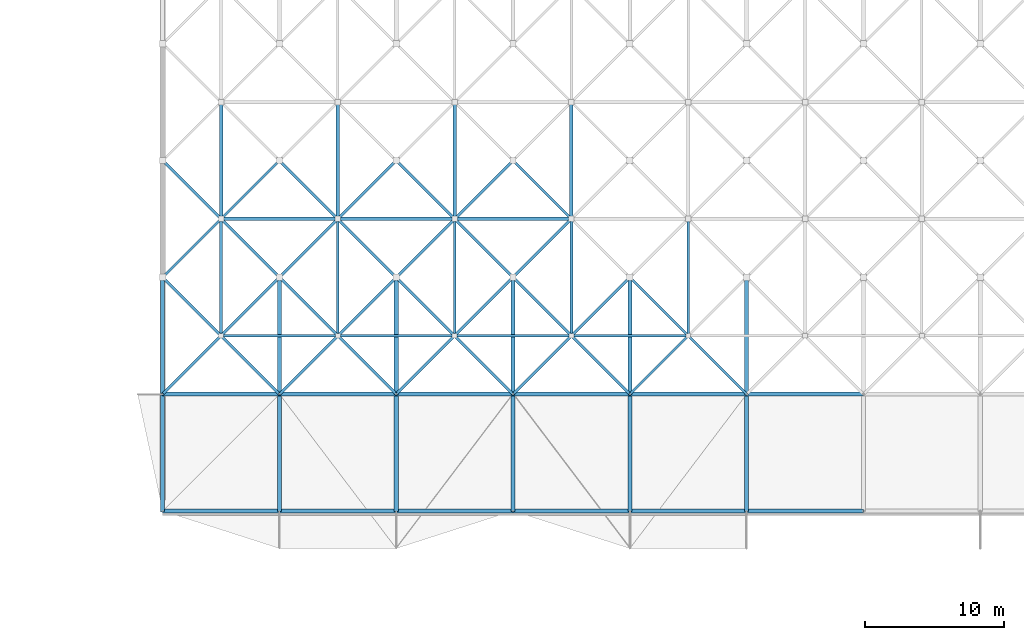
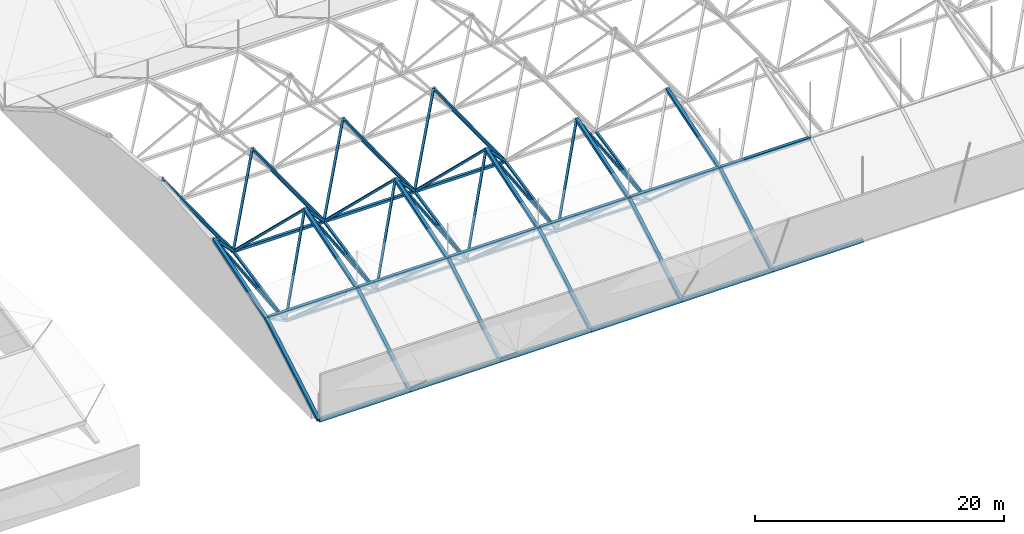
# One storey, part 2 of 111: 73 members.
"""IFC4 building model written with IfcOpenShell, lengths in metres."""

from ifc_helpers import new_model, si_unit, direction, frame, origin, origin_2d, place, context, subcontext, project, spatial, hollow_rectangle, extrude, material, material_profile, profile_set, type_object, element, save


model = new_model("IFC4")

# Units and contexts
model_context = context("Model", 3, precision=1e-05, world=origin(), true_north=direction((0.0, 1.0)))
body_context = subcontext(model_context, "Body", "Model", "MODEL_VIEW")
ifc_project = project(units=[si_unit("LENGTHUNIT", "METRE"), si_unit("AREAUNIT", "SQUARE_METRE"), si_unit("VOLUMEUNIT", "CUBIC_METRE"), si_unit("PLANEANGLEUNIT", "RADIAN"), si_unit("MASSUNIT", "GRAM", prefix="KILO")], contexts=[model_context])

# Site, building, storey
site_placement = place(None, origin())
site = spatial("IfcSite", under=ifc_project, at=site_placement, CompositionType="ELEMENT")
building_placement = place(site_placement, origin())
building = spatial("IfcBuilding", under=site, at=building_placement, Name="Rain Tree Exposition and Congress Centre", CompositionType="ELEMENT")
storey_placement = place(building_placement, frame((0.0, 0.0, 19.5)))
storey = spatial("IfcBuildingStorey", under=building, at=storey_placement, Name="RF", CompositionType="ELEMENT", Elevation=19.5)

# Members
ifc_material_1 = material(Name="Steel S355J2H", Category="steel")
ifc_material_profile_1 = material_profile(ifc_material_1, hollow_rectangle(XDim=0.199951171875, YDim=0.199951171875, WallThickness=0.009033203125, at=origin_2d()), Name="RHS 200x200x9")
ifc_profile_set_1 = profile_set([ifc_material_profile_1], Name="Steel S355J2H")
member_type_1 = type_object("IfcMemberType", Name="Steel brace member RHS 200x200x9", PredefinedType="BRACE", material=ifc_profile_set_1)
for number, where, z_axis, x_axis, name in (
    (1, (147.0, 113.39990234375, 0.965087890625), (-0.573737145755, -0.573737145755, 0.584509516742), (0.707106781187, -0.707106781187, 0.0), "Diagonal 384"),
    (2, (147.0, 113.39990234375, 0.965087890625), (0.573737145755, -0.573737145755, 0.584509516742), (0.707106781187, 0.707106781187, 0.0), "Diagonal 385"),
):
    element("IfcMember", number, at=place(storey_placement, frame(where, z_axis=z_axis, x_axis=x_axis)), inside=storey, type_object=member_type_1, Name=name, PredefinedType="BRACE", context=body_context, shape_type="SweptSolid", body=[
        extrude(hollow_rectangle(XDim=0.199951171875, YDim=0.199951171875, WallThickness=0.009033203125, at=origin_2d()), origin(), (0.0, 0.0, 1.0), 7.3203125),
    ])
for number, where, z_axis, x_axis, name in (
    (3, (147.0, 113.39990234375, 0.965087890625), (-0.459935103496, 0.459961839245, 0.75953591555), (-0.707127332136, -0.70708622964, 0.0), "Diagonal 386"),
    (4, (147.0, 113.39990234375, 0.965087890625), (0.459935103496, 0.459961839245, 0.75953591555), (-0.707127332136, 0.70708622964, 0.0), "Diagonal 387"),
):
    element("IfcMember", number, at=place(storey_placement, frame(where, z_axis=z_axis, x_axis=x_axis)), inside=storey, type_object=member_type_1, Name=name, PredefinedType="BRACE", context=body_context, shape_type="SweptSolid", body=[
        extrude(hollow_rectangle(XDim=0.199951171875, YDim=0.199951171875, WallThickness=0.009033203125, at=origin_2d()), origin(), (0.0, 0.0, 1.0), 9.131591796875),
    ])
member_1_placement = place(storey_placement, frame((155.39990234375, 113.39990234375, 0.965087890625), z_axis=(-0.573737145755, -0.573737145755, 0.584509516742), x_axis=(0.707106781187, -0.707106781187, 0.0)))
element("IfcMember", 5, at=member_1_placement, inside=storey, type_object=member_type_1, Name="Diagonal 390", PredefinedType="BRACE", context=body_context, shape_type="SweptSolid", body=[
    extrude(hollow_rectangle(XDim=0.199951171875, YDim=0.199951171875, WallThickness=0.009033203125, at=origin_2d()), origin(), (0.0, 0.0, 1.0), 7.3203125),
])
member_2_placement = place(storey_placement, frame((155.39990234375, 113.39990234375, 0.965087890625), z_axis=(0.573759517816, -0.573726167461, 0.584498332321), x_axis=(0.70708622964, 0.707127332136, 0.0)))
element("IfcMember", 6, at=member_2_placement, inside=storey, type_object=member_type_1, Name="Diagonal 391", PredefinedType="BRACE", context=body_context, shape_type="SweptSolid", body=[
    extrude(hollow_rectangle(XDim=0.199951171875, YDim=0.199951171875, WallThickness=0.009033203125, at=origin_2d()), origin(), (0.0, 0.0, 1.0), 7.320556640625),
])
member_3_placement = place(storey_placement, frame((155.39990234375, 113.39990234375, 0.965087890625), z_axis=(-0.459935103496, 0.459961839245, 0.75953591555), x_axis=(-0.707127332136, -0.70708622964, 0.0)))
element("IfcMember", 7, at=member_3_placement, inside=storey, type_object=member_type_1, Name="Diagonal 392", PredefinedType="BRACE", context=body_context, shape_type="SweptSolid", body=[
    extrude(hollow_rectangle(XDim=0.199951171875, YDim=0.199951171875, WallThickness=0.009033203125, at=origin_2d()), origin(), (0.0, 0.0, 1.0), 9.131591796875),
])
member_4_placement = place(storey_placement, frame((155.39990234375, 113.39990234375, 0.965087890625), z_axis=(0.459956183168, 0.459956183168, 0.759526575658), x_axis=(-0.707106781187, 0.707106781187, 0.0)))
element("IfcMember", 8, at=member_4_placement, inside=storey, type_object=member_type_1, Name="Diagonal 393", PredefinedType="BRACE", context=body_context, shape_type="SweptSolid", body=[
    extrude(hollow_rectangle(XDim=0.199951171875, YDim=0.199951171875, WallThickness=0.009033203125, at=origin_2d()), origin(), (0.0, 0.0, 1.0), 9.1318359375),
])
for number, where, z_axis, x_axis, name in (
    (9, (163.800048828125, 113.39990234375, 0.965087890625), (-0.573737145755, -0.573737145755, 0.584509516742), (0.707106781187, -0.707106781187, 0.0), "Diagonal 396"),
    (10, (163.800048828125, 113.39990234375, 0.965087890625), (0.573737145755, -0.573737145755, 0.584509516742), (0.707106781187, 0.707106781187, 0.0), "Diagonal 397"),
):
    element("IfcMember", number, at=place(storey_placement, frame(where, z_axis=z_axis, x_axis=x_axis)), inside=storey, type_object=member_type_1, Name=name, PredefinedType="BRACE", context=body_context, shape_type="SweptSolid", body=[
        extrude(hollow_rectangle(XDim=0.199951171875, YDim=0.199951171875, WallThickness=0.009033203125, at=origin_2d()), origin(), (0.0, 0.0, 1.0), 7.3203125),
    ])
for number, where, z_axis, x_axis, name in (
    (11, (163.800048828125, 113.39990234375, 0.965087890625), (-0.459935103496, 0.459961839245, 0.75953591555), (-0.707127332136, -0.70708622964, 0.0), "Diagonal 398"),
    (12, (163.800048828125, 113.39990234375, 0.965087890625), (0.459935103496, 0.459961839245, 0.75953591555), (-0.707127332136, 0.70708622964, 0.0), "Diagonal 399"),
):
    element("IfcMember", number, at=place(storey_placement, frame(where, z_axis=z_axis, x_axis=x_axis)), inside=storey, type_object=member_type_1, Name=name, PredefinedType="BRACE", context=body_context, shape_type="SweptSolid", body=[
        extrude(hollow_rectangle(XDim=0.199951171875, YDim=0.199951171875, WallThickness=0.009033203125, at=origin_2d()), origin(), (0.0, 0.0, 1.0), 9.131591796875),
    ])
for number, where, z_axis, x_axis, name in (
    (13, (172.199951171875, 113.39990234375, 0.965087890625), (-0.573737145755, -0.573737145755, 0.584509516742), (0.707106781187, -0.707106781187, 0.0), "Diagonal 402"),
    (14, (172.199951171875, 113.39990234375, 0.965087890625), (0.573737145755, -0.573737145755, 0.584509516742), (0.707106781187, 0.707106781187, 0.0), "Diagonal 403"),
):
    element("IfcMember", number, at=place(storey_placement, frame(where, z_axis=z_axis, x_axis=x_axis)), inside=storey, type_object=member_type_1, Name=name, PredefinedType="BRACE", context=body_context, shape_type="SweptSolid", body=[
        extrude(hollow_rectangle(XDim=0.199951171875, YDim=0.199951171875, WallThickness=0.009033203125, at=origin_2d()), origin(), (0.0, 0.0, 1.0), 7.3203125),
    ])
for number, where, z_axis, x_axis, name in (
    (15, (172.199951171875, 113.39990234375, 0.965087890625), (-0.459935103496, 0.459961839245, 0.75953591555), (-0.707127332136, -0.70708622964, 0.0), "Diagonal 404"),
    (16, (172.199951171875, 113.39990234375, 0.965087890625), (0.459935103496, 0.459961839245, 0.75953591555), (-0.707127332136, 0.70708622964, 0.0), "Diagonal 405"),
):
    element("IfcMember", number, at=place(storey_placement, frame(where, z_axis=z_axis, x_axis=x_axis)), inside=storey, type_object=member_type_1, Name=name, PredefinedType="BRACE", context=body_context, shape_type="SweptSolid", body=[
        extrude(hollow_rectangle(XDim=0.199951171875, YDim=0.199951171875, WallThickness=0.009033203125, at=origin_2d()), origin(), (0.0, 0.0, 1.0), 9.131591796875),
    ])
member_5_placement = place(storey_placement, frame((180.60009765625, 113.39990234375, 0.965087890625), z_axis=(-0.573759517816, -0.573726167461, 0.584498332321), x_axis=(0.70708622964, -0.707127332136, 0.0)))
element("IfcMember", 17, at=member_5_placement, inside=storey, type_object=member_type_1, Name="Diagonal 408", PredefinedType="BRACE", context=body_context, shape_type="SweptSolid", body=[
    extrude(hollow_rectangle(XDim=0.199951171875, YDim=0.199951171875, WallThickness=0.009033203125, at=origin_2d()), origin(), (0.0, 0.0, 1.0), 7.320556640625),
])
member_6_placement = place(storey_placement, frame((180.60009765625, 113.39990234375, 0.965087890625), z_axis=(0.573737145755, -0.573737145755, 0.584509516742), x_axis=(0.707106781187, 0.707106781187, 0.0)))
element("IfcMember", 18, at=member_6_placement, inside=storey, type_object=member_type_1, Name="Diagonal 409", PredefinedType="BRACE", context=body_context, shape_type="SweptSolid", body=[
    extrude(hollow_rectangle(XDim=0.199951171875, YDim=0.199951171875, WallThickness=0.009033203125, at=origin_2d()), origin(), (0.0, 0.0, 1.0), 7.3203125),
])
member_7_placement = place(storey_placement, frame((180.60009765625, 113.39990234375, 0.965087890625), z_axis=(-0.459956183168, 0.459956183168, 0.759526575658), x_axis=(-0.707106781187, -0.707106781187, 0.0)))
element("IfcMember", 19, at=member_7_placement, inside=storey, type_object=member_type_1, Name="Diagonal 410", PredefinedType="BRACE", context=body_context, shape_type="SweptSolid", body=[
    extrude(hollow_rectangle(XDim=0.199951171875, YDim=0.199951171875, WallThickness=0.009033203125, at=origin_2d()), origin(), (0.0, 0.0, 1.0), 9.1318359375),
])
for number, where, z_axis, x_axis, name in (
    (20, (147.0, 121.800048828125, 2.68896484375), (-0.531497919506, -0.531497919506, 0.65956040142), (0.707106781187, -0.707106781187, 0.0), "Diagonal 455"),
    (21, (147.0, 121.800048828125, 2.68896484375), (0.531497919506, -0.531497919506, 0.65956040142), (0.707106781187, 0.707106781187, 0.0), "Diagonal 456"),
):
    element("IfcMember", number, at=place(storey_placement, frame(where, z_axis=z_axis, x_axis=x_axis)), inside=storey, type_object=member_type_1, Name=name, PredefinedType="BRACE", context=body_context, shape_type="SweptSolid", body=[
        extrude(hollow_rectangle(XDim=0.199951171875, YDim=0.199951171875, WallThickness=0.009033203125, at=origin_2d()), origin(), (0.0, 0.0, 1.0), 7.902099609375),
    ])
for number, where, z_axis, x_axis, name in (
    (22, (147.0, 121.800048828125, 2.68896484375), (-0.494916318018, 0.494916318018, 0.714223827885), (-0.707106781187, -0.707106781187, 0.0), "Diagonal 457"),
    (23, (147.0, 121.800048828125, 2.68896484375), (0.494916318018, 0.494916318018, 0.714223827885), (-0.707106781187, 0.707106781187, 0.0), "Diagonal 458"),
):
    element("IfcMember", number, at=place(storey_placement, frame(where, z_axis=z_axis, x_axis=x_axis)), inside=storey, type_object=member_type_1, Name=name, PredefinedType="BRACE", context=body_context, shape_type="SweptSolid", body=[
        extrude(hollow_rectangle(XDim=0.199951171875, YDim=0.199951171875, WallThickness=0.009033203125, at=origin_2d()), origin(), (0.0, 0.0, 1.0), 8.486083984375),
    ])
member_8_placement = place(storey_placement, frame((155.39990234375, 121.800048828125, 2.68896484375), z_axis=(-0.531497919506, -0.531497919506, 0.65956040142), x_axis=(0.707106781187, -0.707106781187, 0.0)))
element("IfcMember", 24, at=member_8_placement, inside=storey, type_object=member_type_1, Name="Diagonal 461", PredefinedType="BRACE", context=body_context, shape_type="SweptSolid", body=[
    extrude(hollow_rectangle(XDim=0.199951171875, YDim=0.199951171875, WallThickness=0.009033203125, at=origin_2d()), origin(), (0.0, 0.0, 1.0), 7.902099609375),
])
member_9_placement = place(storey_placement, frame((155.39990234375, 121.800048828125, 2.68896484375), z_axis=(0.531520086899, -0.531489191753, 0.659549570747), x_axis=(0.70708622964, 0.707127332136, 0.0)))
element("IfcMember", 25, at=member_9_placement, inside=storey, type_object=member_type_1, Name="Diagonal 462", PredefinedType="BRACE", context=body_context, shape_type="SweptSolid", body=[
    extrude(hollow_rectangle(XDim=0.199951171875, YDim=0.199951171875, WallThickness=0.009033203125, at=origin_2d()), origin(), (0.0, 0.0, 1.0), 7.90234375),
])
member_10_placement = place(storey_placement, frame((155.39990234375, 121.800048828125, 2.68896484375), z_axis=(-0.494916318018, 0.494916318018, 0.714223827885), x_axis=(-0.707106781187, -0.707106781187, 0.0)))
element("IfcMember", 26, at=member_10_placement, inside=storey, type_object=member_type_1, Name="Diagonal 463", PredefinedType="BRACE", context=body_context, shape_type="SweptSolid", body=[
    extrude(hollow_rectangle(XDim=0.199951171875, YDim=0.199951171875, WallThickness=0.009033203125, at=origin_2d()), origin(), (0.0, 0.0, 1.0), 8.486083984375),
])
member_11_placement = place(storey_placement, frame((155.39990234375, 121.800048828125, 2.68896484375), z_axis=(0.494938039954, 0.494909271177, 0.714213658445), x_axis=(-0.70708622964, 0.707127332136, 0.0)))
element("IfcMember", 27, at=member_11_placement, inside=storey, type_object=member_type_1, Name="Diagonal 464", PredefinedType="BRACE", context=body_context, shape_type="SweptSolid", body=[
    extrude(hollow_rectangle(XDim=0.199951171875, YDim=0.199951171875, WallThickness=0.009033203125, at=origin_2d()), origin(), (0.0, 0.0, 1.0), 8.486328125),
])
for number, where, z_axis, x_axis, name in (
    (28, (163.800048828125, 121.800048828125, 2.68896484375), (-0.531497919506, -0.531497919506, 0.65956040142), (0.707106781187, -0.707106781187, 0.0), "Diagonal 467"),
    (29, (163.800048828125, 121.800048828125, 2.68896484375), (0.531497919506, -0.531497919506, 0.65956040142), (0.707106781187, 0.707106781187, 0.0), "Diagonal 468"),
):
    element("IfcMember", number, at=place(storey_placement, frame(where, z_axis=z_axis, x_axis=x_axis)), inside=storey, type_object=member_type_1, Name=name, PredefinedType="BRACE", context=body_context, shape_type="SweptSolid", body=[
        extrude(hollow_rectangle(XDim=0.199951171875, YDim=0.199951171875, WallThickness=0.009033203125, at=origin_2d()), origin(), (0.0, 0.0, 1.0), 7.902099609375),
    ])
for number, where, z_axis, x_axis, name in (
    (30, (163.800048828125, 121.800048828125, 2.68896484375), (-0.494916318018, 0.494916318018, 0.714223827885), (-0.707106781187, -0.707106781187, 0.0), "Diagonal 469"),
    (31, (163.800048828125, 121.800048828125, 2.68896484375), (0.494916318018, 0.494916318018, 0.714223827885), (-0.707106781187, 0.707106781187, 0.0), "Diagonal 470"),
):
    element("IfcMember", number, at=place(storey_placement, frame(where, z_axis=z_axis, x_axis=x_axis)), inside=storey, type_object=member_type_1, Name=name, PredefinedType="BRACE", context=body_context, shape_type="SweptSolid", body=[
        extrude(hollow_rectangle(XDim=0.199951171875, YDim=0.199951171875, WallThickness=0.009033203125, at=origin_2d()), origin(), (0.0, 0.0, 1.0), 8.486083984375),
    ])
member_12_placement = place(storey_placement, frame((172.199951171875, 121.800048828125, 2.68896484375), z_axis=(-0.531497919506, -0.531497919506, 0.65956040142), x_axis=(0.707106781187, -0.707106781187, 0.0)))
element("IfcMember", 32, at=member_12_placement, inside=storey, type_object=member_type_1, Name="Diagonal 473", PredefinedType="BRACE", context=body_context, shape_type="SweptSolid", body=[
    extrude(hollow_rectangle(XDim=0.199951171875, YDim=0.199951171875, WallThickness=0.009033203125, at=origin_2d()), origin(), (0.0, 0.0, 1.0), 7.902099609375),
])
member_13_placement = place(storey_placement, frame((172.199951171875, 121.800048828125, 2.68896484375), z_axis=(-0.494916318018, 0.494916318018, 0.714223827885), x_axis=(-0.707106781187, -0.707106781187, 0.0)))
element("IfcMember", 33, at=member_13_placement, inside=storey, type_object=member_type_1, Name="Diagonal 475", PredefinedType="BRACE", context=body_context, shape_type="SweptSolid", body=[
    extrude(hollow_rectangle(XDim=0.199951171875, YDim=0.199951171875, WallThickness=0.009033203125, at=origin_2d()), origin(), (0.0, 0.0, 1.0), 8.486083984375),
])
ifc_material_2 = material(Name="Steel S355J2H", Category="steel")
ifc_material_profile_2 = material_profile(ifc_material_2, hollow_rectangle(XDim=0.199951171875, YDim=0.199951171875, WallThickness=0.009033203125, at=origin_2d()), Name="RHS 200x200x9")
ifc_profile_set_2 = profile_set([ifc_material_profile_2], Name="Steel S355J2H")
member_type_2 = type_object("IfcMemberType", Name="Steel chord member RHS 200x200x9", PredefinedType="CHORD", material=ifc_profile_set_2)
member_14_placement = place(storey_placement, frame((147.0, 113.39990234375, 0.965087890625), z_axis=(1.0, 0.0, 0.0), x_axis=(0.0, 1.0, 0.0)))
element("IfcMember", 34, at=member_14_placement, inside=storey, type_object=member_type_2, Name="Bottom chord 388", PredefinedType="CHORD", context=body_context, shape_type="SweptSolid", body=[
    extrude(hollow_rectangle(XDim=0.199951171875, YDim=0.199951171875, WallThickness=0.009033203125, at=origin_2d()), origin(), (0.0, 0.0, 1.0), 8.39990234375),
])
member_15_placement = place(storey_placement, frame((147.0, 113.39990234375, 0.965087890625), z_axis=(0.0, 0.979585021781, 0.201030308914), x_axis=(-1.0, 0.0, 0.0)))
element("IfcMember", 35, at=member_15_placement, inside=storey, type_object=member_type_2, Name="Bottom chord 389", PredefinedType="CHORD", context=body_context, shape_type="SweptSolid", body=[
    extrude(hollow_rectangle(XDim=0.199951171875, YDim=0.199951171875, WallThickness=0.009033203125, at=origin_2d()), origin(), (0.0, 0.0, 1.0), 8.5751953125),
])
member_16_placement = place(storey_placement, frame((155.39990234375, 113.39990234375, 0.965087890625), z_axis=(1.0, 0.0, 0.0), x_axis=(0.0, 1.0, 0.0)))
element("IfcMember", 36, at=member_16_placement, inside=storey, type_object=member_type_2, Name="Bottom chord 394", PredefinedType="CHORD", context=body_context, shape_type="SweptSolid", body=[
    extrude(hollow_rectangle(XDim=0.199951171875, YDim=0.199951171875, WallThickness=0.009033203125, at=origin_2d()), origin(), (0.0, 0.0, 1.0), 8.400146484375),
])
member_17_placement = place(storey_placement, frame((155.39990234375, 113.39990234375, 0.965087890625), z_axis=(0.0, 0.979585021781, 0.201030308914), x_axis=(-1.0, 0.0, 0.0)))
element("IfcMember", 37, at=member_17_placement, inside=storey, type_object=member_type_2, Name="Bottom chord 395", PredefinedType="CHORD", context=body_context, shape_type="SweptSolid", body=[
    extrude(hollow_rectangle(XDim=0.199951171875, YDim=0.199951171875, WallThickness=0.009033203125, at=origin_2d()), origin(), (0.0, 0.0, 1.0), 8.5751953125),
])
member_18_placement = place(storey_placement, frame((163.800048828125, 113.39990234375, 0.965087890625), z_axis=(1.0, 0.0, 0.0), x_axis=(0.0, 1.0, 0.0)))
element("IfcMember", 38, at=member_18_placement, inside=storey, type_object=member_type_2, Name="Bottom chord 400", PredefinedType="CHORD", context=body_context, shape_type="SweptSolid", body=[
    extrude(hollow_rectangle(XDim=0.199951171875, YDim=0.199951171875, WallThickness=0.009033203125, at=origin_2d()), origin(), (0.0, 0.0, 1.0), 8.39990234375),
])
member_19_placement = place(storey_placement, frame((163.800048828125, 113.39990234375, 0.965087890625), z_axis=(0.0, 0.979585021781, 0.201030308914), x_axis=(-1.0, 0.0, 0.0)))
element("IfcMember", 39, at=member_19_placement, inside=storey, type_object=member_type_2, Name="Bottom chord 401", PredefinedType="CHORD", context=body_context, shape_type="SweptSolid", body=[
    extrude(hollow_rectangle(XDim=0.199951171875, YDim=0.199951171875, WallThickness=0.009033203125, at=origin_2d()), origin(), (0.0, 0.0, 1.0), 8.5751953125),
])
member_20_placement = place(storey_placement, frame((172.199951171875, 113.39990234375, 0.965087890625), z_axis=(1.0, 0.0, 0.0), x_axis=(0.0, 1.0, 0.0)))
element("IfcMember", 40, at=member_20_placement, inside=storey, type_object=member_type_2, Name="Bottom chord 406", PredefinedType="CHORD", context=body_context, shape_type="SweptSolid", body=[
    extrude(hollow_rectangle(XDim=0.199951171875, YDim=0.199951171875, WallThickness=0.009033203125, at=origin_2d()), origin(), (0.0, 0.0, 1.0), 8.400146484375),
])
for number, where, z_axis, x_axis, name in (
    (41, (172.199951171875, 113.39990234375, 0.965087890625), (0.0, 0.979585021781, 0.201030308914), (-1.0, 0.0, 0.0), "Bottom chord 407"),
    (42, (180.60009765625, 113.39990234375, 0.965087890625), (0.0, 0.979585021781, 0.201030308914), (-1.0, 0.0, 0.0), "Bottom chord 413"),
):
    element("IfcMember", number, at=place(storey_placement, frame(where, z_axis=z_axis, x_axis=x_axis)), inside=storey, type_object=member_type_2, Name=name, PredefinedType="CHORD", context=body_context, shape_type="SweptSolid", body=[
        extrude(hollow_rectangle(XDim=0.199951171875, YDim=0.199951171875, WallThickness=0.009033203125, at=origin_2d()), origin(), (0.0, 0.0, 1.0), 8.5751953125),
    ])
ifc_material_3 = material(Name="Steel S355J2H", Category="steel")
ifc_material_profile_3 = material_profile(ifc_material_3, hollow_rectangle(XDim=0.25, YDim=0.25, WallThickness=0.006103515625, at=origin_2d()), Name="RHS 250x250x6")
ifc_profile_set_3 = profile_set([ifc_material_profile_3], Name="Steel S355J2H")
member_type_3 = type_object("IfcMemberType", Name="Steel chord member RHS 250x250x6", PredefinedType="CHORD", material=ifc_profile_set_3)
for number, where, z_axis, x_axis, name in (
    (43, (147.0, 121.800048828125, 2.68896484375), (1.0, 0.0, 0.0), (0.0, 1.0, 0.0), "Bottom chord 459"),
    (44, (147.0, 121.800048828125, 2.68896484375), (0.0, 1.0, 0.0), (-1.0, 0.0, 0.0), "Bottom chord 460"),
):
    element("IfcMember", number, at=place(storey_placement, frame(where, z_axis=z_axis, x_axis=x_axis)), inside=storey, type_object=member_type_3, Name=name, PredefinedType="CHORD", context=body_context, shape_type="SweptSolid", body=[
        extrude(hollow_rectangle(XDim=0.25, YDim=0.25, WallThickness=0.006103515625, at=origin_2d()), origin(), (0.0, 0.0, 1.0), 8.39990234375),
    ])
member_21_placement = place(storey_placement, frame((155.39990234375, 121.800048828125, 2.68896484375), z_axis=(1.0, 0.0, 0.0), x_axis=(0.0, 1.0, 0.0)))
element("IfcMember", 45, at=member_21_placement, inside=storey, type_object=member_type_3, Name="Bottom chord 465", PredefinedType="CHORD", context=body_context, shape_type="SweptSolid", body=[
    extrude(hollow_rectangle(XDim=0.25, YDim=0.25, WallThickness=0.006103515625, at=origin_2d()), origin(), (0.0, 0.0, 1.0), 8.400146484375),
])
for number, where, z_axis, x_axis, name in (
    (46, (155.39990234375, 121.800048828125, 2.68896484375), (0.0, 1.0, 0.0), (-1.0, 0.0, 0.0), "Bottom chord 466"),
    (47, (163.800048828125, 121.800048828125, 2.68896484375), (1.0, 0.0, 0.0), (0.0, 1.0, 0.0), "Bottom chord 471"),
    (48, (163.800048828125, 121.800048828125, 2.68896484375), (0.0, 1.0, 0.0), (-1.0, 0.0, 0.0), "Bottom chord 472"),
    (49, (172.199951171875, 121.800048828125, 2.68896484375), (0.0, 1.0, 0.0), (-1.0, 0.0, 0.0), "Bottom chord 478"),
):
    element("IfcMember", number, at=place(storey_placement, frame(where, z_axis=z_axis, x_axis=x_axis)), inside=storey, type_object=member_type_3, Name=name, PredefinedType="CHORD", context=body_context, shape_type="SweptSolid", body=[
        extrude(hollow_rectangle(XDim=0.25, YDim=0.25, WallThickness=0.006103515625, at=origin_2d()), origin(), (0.0, 0.0, 1.0), 8.39990234375),
    ])
ifc_material_4 = material(Name="Steel S355J2H", Category="steel")
ifc_material_profile_4 = material_profile(ifc_material_4, hollow_rectangle(XDim=0.300048828125, YDim=0.300048828125, WallThickness=0.009033203125, at=origin_2d()), Name="RHS 300x300x9")
ifc_profile_set_4 = profile_set([ifc_material_profile_4], Name="Steel S355J2H")
member_type_4 = type_object("IfcMemberType", Name="Steel chord member RHS 300x300x9", PredefinedType="CHORD", material=ifc_profile_set_4)
member_22_placement = place(storey_placement, frame((142.800048828125, 100.800048828125, 0.35009765625), z_axis=(1.0, 0.0, 0.0), x_axis=(0.0, 1.0, 0.0)))
element("IfcMember", 50, at=member_22_placement, inside=storey, type_object=member_type_4, Name="Top chord 1", PredefinedType="CHORD", context=body_context, shape_type="SweptSolid", body=[
    extrude(hollow_rectangle(XDim=0.300048828125, YDim=0.300048828125, WallThickness=0.009033203125, at=origin_2d()), origin(), (0.0, 0.0, 1.0), 8.39990234375),
])
member_23_placement = place(storey_placement, frame((151.199951171875, 100.800048828125, 0.35009765625), z_axis=(1.0, 0.0, 0.0), x_axis=(0.0, 1.0, 0.0)))
element("IfcMember", 51, at=member_23_placement, inside=storey, type_object=member_type_4, Name="Top chord 2", PredefinedType="CHORD", context=body_context, shape_type="SweptSolid", body=[
    extrude(hollow_rectangle(XDim=0.300048828125, YDim=0.300048828125, WallThickness=0.009033203125, at=origin_2d()), origin(), (0.0, 0.0, 1.0), 8.400146484375),
])
for number, where, z_axis, x_axis, name in (
    (52, (159.60009765625, 100.800048828125, 0.35009765625), (1.0, 0.0, 0.0), (0.0, 1.0, 0.0), "Top chord 3"),
    (53, (168.0, 100.800048828125, 0.35009765625), (1.0, 0.0, 0.0), (0.0, 1.0, 0.0), "Top chord 4"),
):
    element("IfcMember", number, at=place(storey_placement, frame(where, z_axis=z_axis, x_axis=x_axis)), inside=storey, type_object=member_type_4, Name=name, PredefinedType="CHORD", context=body_context, shape_type="SweptSolid", body=[
        extrude(hollow_rectangle(XDim=0.300048828125, YDim=0.300048828125, WallThickness=0.009033203125, at=origin_2d()), origin(), (0.0, 0.0, 1.0), 8.39990234375),
    ])
member_24_placement = place(storey_placement, frame((176.39990234375, 100.800048828125, 0.35009765625), z_axis=(1.0, 0.0, 0.0), x_axis=(0.0, 1.0, 0.0)))
element("IfcMember", 54, at=member_24_placement, inside=storey, type_object=member_type_4, Name="Top chord 5", PredefinedType="CHORD", context=body_context, shape_type="SweptSolid", body=[
    extrude(hollow_rectangle(XDim=0.300048828125, YDim=0.300048828125, WallThickness=0.009033203125, at=origin_2d()), origin(), (0.0, 0.0, 1.0), 8.400146484375),
])
for number, where, z_axis, x_axis, name in (
    (55, (184.800048828125, 100.800048828125, 0.35009765625), (1.0, 0.0, 0.0), (0.0, 1.0, 0.0), "Top chord 6"),
    (56, (142.800048828125, 109.199951171875, 5.243896484375), (1.0, 0.0, 0.0), (0.0, 1.0, 0.0), "Top chord 13"),
):
    element("IfcMember", number, at=place(storey_placement, frame(where, z_axis=z_axis, x_axis=x_axis)), inside=storey, type_object=member_type_4, Name=name, PredefinedType="CHORD", context=body_context, shape_type="SweptSolid", body=[
        extrude(hollow_rectangle(XDim=0.300048828125, YDim=0.300048828125, WallThickness=0.009033203125, at=origin_2d()), origin(), (0.0, 0.0, 1.0), 8.39990234375),
    ])
member_25_placement = place(storey_placement, frame((151.199951171875, 109.199951171875, 5.243896484375), z_axis=(1.0, 0.0, 0.0), x_axis=(0.0, 1.0, 0.0)))
element("IfcMember", 57, at=member_25_placement, inside=storey, type_object=member_type_4, Name="Top chord 14", PredefinedType="CHORD", context=body_context, shape_type="SweptSolid", body=[
    extrude(hollow_rectangle(XDim=0.300048828125, YDim=0.300048828125, WallThickness=0.009033203125, at=origin_2d()), origin(), (0.0, 0.0, 1.0), 8.400146484375),
])
for number, where, z_axis, x_axis, name in (
    (58, (159.60009765625, 109.199951171875, 5.243896484375), (1.0, 0.0, 0.0), (0.0, 1.0, 0.0), "Top chord 15"),
    (59, (168.0, 109.199951171875, 5.243896484375), (1.0, 0.0, 0.0), (0.0, 1.0, 0.0), "Top chord 16"),
):
    element("IfcMember", number, at=place(storey_placement, frame(where, z_axis=z_axis, x_axis=x_axis)), inside=storey, type_object=member_type_4, Name=name, PredefinedType="CHORD", context=body_context, shape_type="SweptSolid", body=[
        extrude(hollow_rectangle(XDim=0.300048828125, YDim=0.300048828125, WallThickness=0.009033203125, at=origin_2d()), origin(), (0.0, 0.0, 1.0), 8.39990234375),
    ])
member_26_placement = place(storey_placement, frame((176.39990234375, 109.199951171875, 5.243896484375), z_axis=(1.0, 0.0, 0.0), x_axis=(0.0, 1.0, 0.0)))
element("IfcMember", 60, at=member_26_placement, inside=storey, type_object=member_type_4, Name="Top chord 17", PredefinedType="CHORD", context=body_context, shape_type="SweptSolid", body=[
    extrude(hollow_rectangle(XDim=0.300048828125, YDim=0.300048828125, WallThickness=0.009033203125, at=origin_2d()), origin(), (0.0, 0.0, 1.0), 8.400146484375),
])
member_27_placement = place(storey_placement, frame((184.800048828125, 109.199951171875, 5.243896484375), z_axis=(1.0, 0.0, 0.0), x_axis=(0.0, 1.0, 0.0)))
element("IfcMember", 61, at=member_27_placement, inside=storey, type_object=member_type_4, Name="Top chord 18", PredefinedType="CHORD", context=body_context, shape_type="SweptSolid", body=[
    extrude(hollow_rectangle(XDim=0.300048828125, YDim=0.300048828125, WallThickness=0.009033203125, at=origin_2d()), origin(), (0.0, 0.0, 1.0), 8.39990234375),
])
member_28_placement = place(storey_placement, frame((142.800048828125, 100.800048828125, 0.35009765625), z_axis=(0.0, 0.864053849191, 0.503399389846), x_axis=(-1.0, 0.0, 0.0)))
element("IfcMember", 62, at=member_28_placement, inside=storey, type_object=member_type_4, Name="Top chord 157", PredefinedType="CHORD", context=body_context, shape_type="SweptSolid", body=[
    extrude(hollow_rectangle(XDim=0.300048828125, YDim=0.300048828125, WallThickness=0.009033203125, at=origin_2d()), origin(), (0.0, 0.0, 1.0), 9.721435546875),
])
member_29_placement = place(storey_placement, frame((142.800048828125, 109.199951171875, 5.243896484375), z_axis=(0.0, 0.953442263101, 0.301575613955), x_axis=(-1.0, 0.0, 0.0)))
element("IfcMember", 63, at=member_29_placement, inside=storey, type_object=member_type_4, Name="Top chord 158", PredefinedType="CHORD", context=body_context, shape_type="SweptSolid", body=[
    extrude(hollow_rectangle(XDim=0.300048828125, YDim=0.300048828125, WallThickness=0.009033203125, at=origin_2d()), origin(), (0.0, 0.0, 1.0), 8.810302734375),
])
member_30_placement = place(storey_placement, frame((151.199951171875, 100.800048828125, 0.35009765625), z_axis=(0.0, 0.864053849191, 0.503399389846), x_axis=(-1.0, 0.0, 0.0)))
element("IfcMember", 64, at=member_30_placement, inside=storey, type_object=member_type_4, Name="Top chord 169", PredefinedType="CHORD", context=body_context, shape_type="SweptSolid", body=[
    extrude(hollow_rectangle(XDim=0.300048828125, YDim=0.300048828125, WallThickness=0.009033203125, at=origin_2d()), origin(), (0.0, 0.0, 1.0), 9.721435546875),
])
member_31_placement = place(storey_placement, frame((151.199951171875, 109.199951171875, 5.243896484375), z_axis=(0.0, 0.953442263101, 0.301575613955), x_axis=(-1.0, 0.0, 0.0)))
element("IfcMember", 65, at=member_31_placement, inside=storey, type_object=member_type_4, Name="Top chord 170", PredefinedType="CHORD", context=body_context, shape_type="SweptSolid", body=[
    extrude(hollow_rectangle(XDim=0.300048828125, YDim=0.300048828125, WallThickness=0.009033203125, at=origin_2d()), origin(), (0.0, 0.0, 1.0), 8.810302734375),
])
member_32_placement = place(storey_placement, frame((159.60009765625, 100.800048828125, 0.35009765625), z_axis=(0.0, 0.864053849191, 0.503399389846), x_axis=(-1.0, 0.0, 0.0)))
element("IfcMember", 66, at=member_32_placement, inside=storey, type_object=member_type_4, Name="Top chord 181", PredefinedType="CHORD", context=body_context, shape_type="SweptSolid", body=[
    extrude(hollow_rectangle(XDim=0.300048828125, YDim=0.300048828125, WallThickness=0.009033203125, at=origin_2d()), origin(), (0.0, 0.0, 1.0), 9.721435546875),
])
member_33_placement = place(storey_placement, frame((159.60009765625, 109.199951171875, 5.243896484375), z_axis=(0.0, 0.953442263101, 0.301575613955), x_axis=(-1.0, 0.0, 0.0)))
element("IfcMember", 67, at=member_33_placement, inside=storey, type_object=member_type_4, Name="Top chord 182", PredefinedType="CHORD", context=body_context, shape_type="SweptSolid", body=[
    extrude(hollow_rectangle(XDim=0.300048828125, YDim=0.300048828125, WallThickness=0.009033203125, at=origin_2d()), origin(), (0.0, 0.0, 1.0), 8.810302734375),
])
member_34_placement = place(storey_placement, frame((168.0, 100.800048828125, 0.35009765625), z_axis=(0.0, 0.864053849191, 0.503399389846), x_axis=(-1.0, 0.0, 0.0)))
element("IfcMember", 68, at=member_34_placement, inside=storey, type_object=member_type_4, Name="Top chord 193", PredefinedType="CHORD", context=body_context, shape_type="SweptSolid", body=[
    extrude(hollow_rectangle(XDim=0.300048828125, YDim=0.300048828125, WallThickness=0.009033203125, at=origin_2d()), origin(), (0.0, 0.0, 1.0), 9.721435546875),
])
member_35_placement = place(storey_placement, frame((168.0, 109.199951171875, 5.243896484375), z_axis=(0.0, 0.953442263101, 0.301575613955), x_axis=(-1.0, 0.0, 0.0)))
element("IfcMember", 69, at=member_35_placement, inside=storey, type_object=member_type_4, Name="Top chord 194", PredefinedType="CHORD", context=body_context, shape_type="SweptSolid", body=[
    extrude(hollow_rectangle(XDim=0.300048828125, YDim=0.300048828125, WallThickness=0.009033203125, at=origin_2d()), origin(), (0.0, 0.0, 1.0), 8.810302734375),
])
member_36_placement = place(storey_placement, frame((176.39990234375, 100.800048828125, 0.35009765625), z_axis=(0.0, 0.864053849191, 0.503399389846), x_axis=(-1.0, 0.0, 0.0)))
element("IfcMember", 70, at=member_36_placement, inside=storey, type_object=member_type_4, Name="Top chord 205", PredefinedType="CHORD", context=body_context, shape_type="SweptSolid", body=[
    extrude(hollow_rectangle(XDim=0.300048828125, YDim=0.300048828125, WallThickness=0.009033203125, at=origin_2d()), origin(), (0.0, 0.0, 1.0), 9.721435546875),
])
member_37_placement = place(storey_placement, frame((176.39990234375, 109.199951171875, 5.243896484375), z_axis=(0.0, 0.953442263101, 0.301575613955), x_axis=(-1.0, 0.0, 0.0)))
element("IfcMember", 71, at=member_37_placement, inside=storey, type_object=member_type_4, Name="Top chord 206", PredefinedType="CHORD", context=body_context, shape_type="SweptSolid", body=[
    extrude(hollow_rectangle(XDim=0.300048828125, YDim=0.300048828125, WallThickness=0.009033203125, at=origin_2d()), origin(), (0.0, 0.0, 1.0), 8.810302734375),
])
member_38_placement = place(storey_placement, frame((184.800048828125, 100.800048828125, 0.35009765625), z_axis=(0.0, 0.864053849191, 0.503399389846), x_axis=(-1.0, 0.0, 0.0)))
element("IfcMember", 72, at=member_38_placement, inside=storey, type_object=member_type_4, Name="Top chord 217", PredefinedType="CHORD", context=body_context, shape_type="SweptSolid", body=[
    extrude(hollow_rectangle(XDim=0.300048828125, YDim=0.300048828125, WallThickness=0.009033203125, at=origin_2d()), origin(), (0.0, 0.0, 1.0), 9.721435546875),
])
member_39_placement = place(storey_placement, frame((184.800048828125, 109.199951171875, 5.243896484375), z_axis=(0.0, 0.953442263101, 0.301575613955), x_axis=(-1.0, 0.0, 0.0)))
element("IfcMember", 73, at=member_39_placement, inside=storey, type_object=member_type_4, Name="Top chord 218", PredefinedType="CHORD", context=body_context, shape_type="SweptSolid", body=[
    extrude(hollow_rectangle(XDim=0.300048828125, YDim=0.300048828125, WallThickness=0.009033203125, at=origin_2d()), origin(), (0.0, 0.0, 1.0), 8.810302734375),
])

save(model, "model.ifc")
